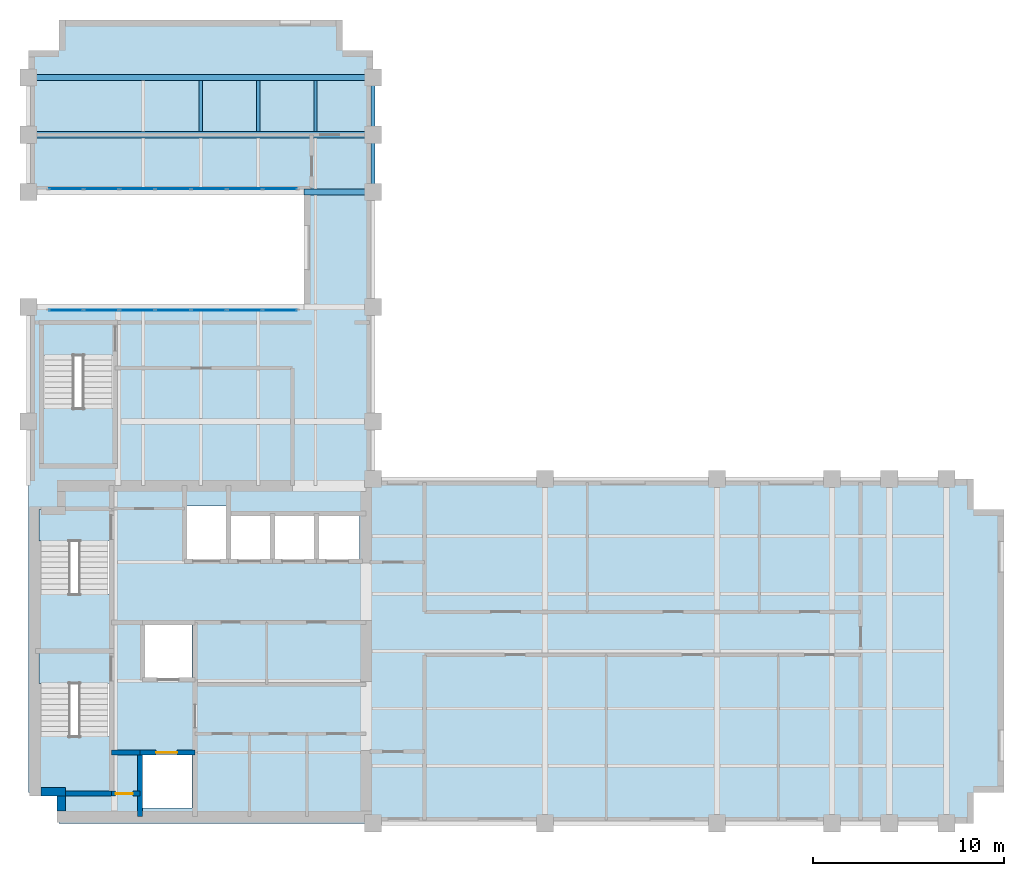
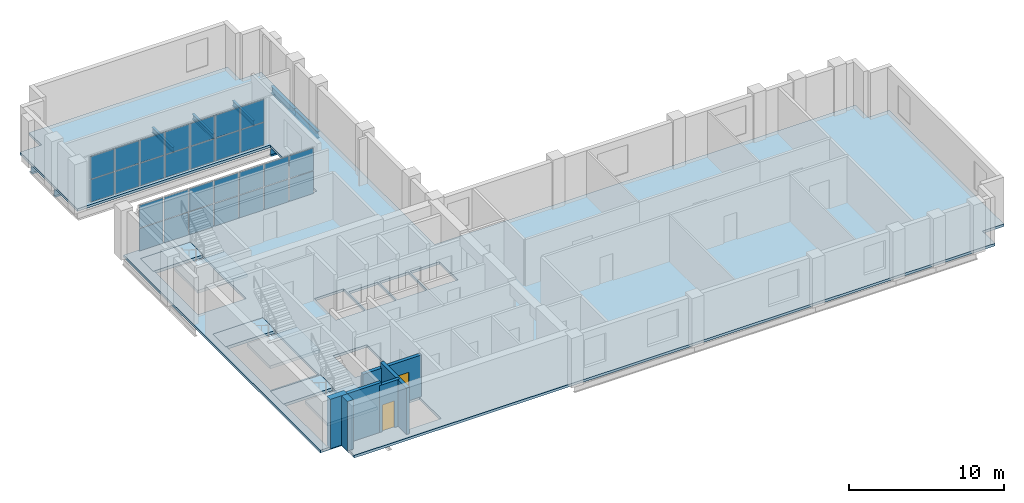
# One storey, part 5 of 9: 28 plates, 8 beams, 7 slabs, 7 walls, 2 doors, 2 openings, 5 elements without a shape of their own.
"""IFC4 building model written with IfcOpenShell, lengths in metres."""

from ifc_helpers import new_model, si_unit, direction, frame, frame_2d, origin, origin_2d, place, context, subcontext, project, spatial, polyline, rectangle, i_section, outline, extrude, material, layer, layer_set, material_profile, profile_set, type_object, element, fill, aggregate, save


model = new_model("IFC4")

# Units and contexts
model_context = context("Model", 3, precision=1e-05, world=origin(), true_north=direction((0.0, 1.0)))
body_context = subcontext(model_context, "Body", "Model", "MODEL_VIEW")
ifc_project = project(units=[si_unit("LENGTHUNIT", "METRE"), si_unit("AREAUNIT", "SQUARE_METRE"), si_unit("VOLUMEUNIT", "CUBIC_METRE"), si_unit("PLANEANGLEUNIT", "RADIAN"), si_unit("MASSUNIT", "GRAM", prefix="KILO")], contexts=[model_context])

# Site, building, storey
site_placement = place(None, origin())
site = spatial("IfcSite", under=ifc_project, at=site_placement, CompositionType="ELEMENT")
building_placement = place(site_placement, origin())
building = spatial("IfcBuilding", under=site, at=building_placement, Name="Mawjdan Bourse Tower", CompositionType="ELEMENT")
storey_placement = place(building_placement, frame((0.0, 0.0, 195.60009765625)))
storey = spatial("IfcBuildingStorey", under=building, at=storey_placement, Name="L47", CompositionType="ELEMENT", Elevation=195.60009765625)

# Beams
ifc_material_1 = material(Name="Structural Steel S355", Category="steel")
ifc_material_profile_1 = material_profile(ifc_material_1, i_section(OverallWidth=0.324951171875, OverallDepth=0.616943359375, WebThickness=0.013916015625, FlangeThickness=0.021484375, FilletRadius=0.017333984375, at=origin_2d()), Name="W24X117")
ifc_profile_set_1 = profile_set([ifc_material_profile_1], Name="Structural Steel S355")
beam_type_1 = type_object("IfcBeamType", Name="GRD-W24X117", PredefinedType="BEAM", material=ifc_profile_set_1)
beam_placement = place(storey_placement, frame((20.39990234375, 36.0, -0.508544921875), z_axis=(1.0, 0.0, 0.0), x_axis=(0.0, 1.0, 0.0)))
element("IfcBeam", 1, at=beam_placement, inside=storey, type_object=beam_type_1, Name="L47 North Wing Clear-Span Girder 051", PredefinedType="BEAM", context=body_context, shape_type="SweptSolid", body=[
    extrude(i_section(OverallWidth=0.324951171875, OverallDepth=0.616943359375, WebThickness=0.013916015625, FlangeThickness=0.021484375, FilletRadius=0.017333984375, at=origin_2d()), origin(), (0.0, 0.0, 1.0), 3.60009765625),
])
for number, where, z_axis, x_axis, name in (
    (2, (6.0, 39.0, -0.508544921875), (1.0, 0.0, 0.0), (0.0, 1.0, 0.0), "L47 North Wing Clear-Span Girder 052"),
    (3, (6.0, 42.0, -0.508544921875), (1.0, 0.0, 0.0), (0.0, 1.0, 0.0), "L47 North Wing Clear-Span Girder 053"),
):
    element("IfcBeam", number, at=place(storey_placement, frame(where, z_axis=z_axis, x_axis=x_axis)), inside=storey, type_object=beam_type_1, Name=name, PredefinedType="BEAM", context=body_context, shape_type="SweptSolid", body=[
        extrude(i_section(OverallWidth=0.324951171875, OverallDepth=0.616943359375, WebThickness=0.013916015625, FlangeThickness=0.021484375, FilletRadius=0.017333984375, at=origin_2d()), origin(), (0.0, 0.0, 1.0), 18.0),
    ])
ifc_material_profile_2 = material_profile(ifc_material_1, i_section(OverallWidth=0.177978515625, OverallDepth=0.406982421875, WebThickness=0.0078125, FlangeThickness=0.0126953125, FilletRadius=0.01025390625, at=origin_2d()), Name="W16X40")
ifc_profile_set_2 = profile_set([ifc_material_profile_2], Name="Structural Steel S355")
beam_type_2 = type_object("IfcBeamType", Name="JST-W16X40", PredefinedType="JOIST", material=ifc_profile_set_2)
for number, where, z_axis, x_axis, name in (
    (4, (15.0, 39.160400390625, -0.403564453125), (0.0, 1.0, 0.0), (-1.0, 0.0, 0.0), "L47 North Wing Composite Joist 070"),
    (5, (18.0, 39.160400390625, -0.403564453125), (0.0, 1.0, 0.0), (-1.0, 0.0, 0.0), "L47 North Wing Composite Joist 074"),
    (6, (21.0, 39.160400390625, -0.403564453125), (0.0, 1.0, 0.0), (-1.0, 0.0, 0.0), "L47 North Wing Composite Joist 079"),
):
    element("IfcBeam", number, at=place(storey_placement, frame(where, z_axis=z_axis, x_axis=x_axis)), inside=storey, type_object=beam_type_2, Name=name, PredefinedType="JOIST", context=body_context, shape_type="SweptSolid", body=[
        extrude(i_section(OverallWidth=0.177978515625, OverallDepth=0.406982421875, WebThickness=0.0078125, FlangeThickness=0.0126953125, FilletRadius=0.01025390625, at=origin_2d()), origin(), (0.0, 0.0, 1.0), 2.67919921875),
    ])
ifc_material_profile_3 = material_profile(ifc_material_1, i_section(OverallWidth=0.2119140625, OverallDepth=0.5439453125, WebThickness=0.01318359375, FlangeThickness=0.021240234375, FilletRadius=0.01708984375, at=origin_2d()), Name="W21X83")
ifc_profile_set_3 = profile_set([ifc_material_profile_3], Name="Structural Steel S355")
beam_type_3 = type_object("IfcBeamType", Name="SPN-W21X83", PredefinedType="SPANDREL", material=ifc_profile_set_3)
for number, where, z_axis, x_axis, name in (
    (7, (24.0, 36.0, -0.47216796875), (0.0, 1.0, 0.0), (-1.0, 0.0, 0.0), "L47 North Wing Spandrel 061"),
    (8, (24.0, 39.0, -0.47216796875), (0.0, 1.0, 0.0), (-1.0, 0.0, 0.0), "L47 North Wing Spandrel 062"),
):
    element("IfcBeam", number, at=place(storey_placement, frame(where, z_axis=z_axis, x_axis=x_axis)), inside=storey, type_object=beam_type_3, Name=name, PredefinedType="SPANDREL", context=body_context, shape_type="SweptSolid", body=[
        extrude(i_section(OverallWidth=0.2119140625, OverallDepth=0.5439453125, WebThickness=0.01318359375, FlangeThickness=0.021240234375, FilletRadius=0.01708984375, at=origin_2d()), origin(), (0.0, 0.0, 1.0), 3.0),
    ])

# Curtain wall, plates
ifc_material_2 = material(Name="Thermally Broken Aluminium and Solar Glass", Category="aluminium")
ifc_layer_1 = layer(ifc_material_2, 0.219970703125)
ifc_layer_set_1 = layer_set([ifc_layer_1], Name="Thermally Broken Aluminium and Solar Glass")
curtain_wall_type = type_object("IfcCurtainWallType", Name="CW-POR", PredefinedType="USERDEFINED", material=ifc_layer_set_1)
curtain_wall_1_placement = place(storey_placement, origin())
curtain_wall_1 = element("IfcCurtainWall", 9, at=curtain_wall_1_placement, inside=storey, type_object=curtain_wall_type, Name="L47 North Void Portal Glazed Cheek 14", ObjectType="VOID PORTAL CURTAIN WALL", PredefinedType="USERDEFINED")
ifc_material_3 = material(Name="Wind-Rated Portal Clear Glass", Category="glass")
ifc_layer_2 = layer(ifc_material_3, 0.0400390625)
ifc_layer_set_2 = layer_set([ifc_layer_2], Name="Wind-Rated Portal Clear Glass")
plate_type = type_object("IfcPlateType", Name="PNL-CW-POR", PredefinedType="CURTAIN_PANEL", material=ifc_layer_set_2)
plate_1_placement = place(storey_placement, frame((7.953125, 36.169921875, 0.054931640625), z_axis=(0.0, 0.0, 1.0), x_axis=(1.0, 0.0, 0.0)))
plate_1 = element("IfcPlate", 10, at=plate_1_placement, type_object=plate_type, Name="CW-POR-L47-POR-N14 panel 1.1", PredefinedType="CURTAIN_PANEL", context=body_context, shape_type="SweptSolid", body=[
    extrude(rectangle(XDim=1.766357421875, YDim=0.0400390625, at=origin_2d()), origin(), (0.0, 0.0, 1.0), 1.767578125),
])
plate_2_placement = place(storey_placement, frame((7.953125, 36.169921875, 1.87744140625), z_axis=(0.0, 0.0, 1.0), x_axis=(1.0, 0.0, 0.0)))
plate_2 = element("IfcPlate", 11, at=plate_2_placement, type_object=plate_type, Name="CW-POR-L47-POR-N14 panel 1.2", PredefinedType="CURTAIN_PANEL", context=body_context, shape_type="SweptSolid", body=[
    extrude(rectangle(XDim=1.766357421875, YDim=0.0400390625, at=origin_2d()), origin(), (0.0, 0.0, 1.0), 1.767578125),
])
plate_3_placement = place(storey_placement, frame((9.80712890625, 36.169921875, 0.054931640625), z_axis=(0.0, 0.0, 1.0), x_axis=(1.0, 0.0, 0.0)))
plate_3 = element("IfcPlate", 12, at=plate_3_placement, type_object=plate_type, Name="CW-POR-L47-POR-N14 panel 2.1", PredefinedType="CURTAIN_PANEL", context=body_context, shape_type="SweptSolid", body=[
    extrude(rectangle(XDim=1.801513671875, YDim=0.0400390625, at=origin_2d()), origin(), (0.0, 0.0, 1.0), 1.767578125),
])
plate_4_placement = place(storey_placement, frame((9.80712890625, 36.169921875, 1.87744140625), z_axis=(0.0, 0.0, 1.0), x_axis=(1.0, 0.0, 0.0)))
plate_4 = element("IfcPlate", 13, at=plate_4_placement, type_object=plate_type, Name="CW-POR-L47-POR-N14 panel 2.2", PredefinedType="CURTAIN_PANEL", context=body_context, shape_type="SweptSolid", body=[
    extrude(rectangle(XDim=1.801513671875, YDim=0.0400390625, at=origin_2d()), origin(), (0.0, 0.0, 1.0), 1.767578125),
])
plate_5_placement = place(storey_placement, frame((11.678466796875, 36.169921875, 0.054931640625), z_axis=(0.0, 0.0, 1.0), x_axis=(1.0, 0.0, 0.0)))
plate_5 = element("IfcPlate", 14, at=plate_5_placement, type_object=plate_type, Name="CW-POR-L47-POR-N14 panel 3.1", PredefinedType="CURTAIN_PANEL", context=body_context, shape_type="SweptSolid", body=[
    extrude(rectangle(XDim=1.801513671875, YDim=0.0400390625, at=origin_2d()), origin(), (0.0, 0.0, 1.0), 1.767578125),
])
plate_6_placement = place(storey_placement, frame((11.678466796875, 36.169921875, 1.87744140625), z_axis=(0.0, 0.0, 1.0), x_axis=(1.0, 0.0, 0.0)))
plate_6 = element("IfcPlate", 15, at=plate_6_placement, type_object=plate_type, Name="CW-POR-L47-POR-N14 panel 3.2", PredefinedType="CURTAIN_PANEL", context=body_context, shape_type="SweptSolid", body=[
    extrude(rectangle(XDim=1.801513671875, YDim=0.0400390625, at=origin_2d()), origin(), (0.0, 0.0, 1.0), 1.767578125),
])
plate_7_placement = place(storey_placement, frame((13.550048828125, 36.169921875, 0.054931640625), z_axis=(0.0, 0.0, 1.0), x_axis=(1.0, 0.0, 0.0)))
plate_7 = element("IfcPlate", 16, at=plate_7_placement, type_object=plate_type, Name="CW-POR-L47-POR-N14 panel 4.1", PredefinedType="CURTAIN_PANEL", context=body_context, shape_type="SweptSolid", body=[
    extrude(rectangle(XDim=1.801513671875, YDim=0.0400390625, at=origin_2d()), origin(), (0.0, 0.0, 1.0), 1.767578125),
])
plate_8_placement = place(storey_placement, frame((13.550048828125, 36.169921875, 1.87744140625), z_axis=(0.0, 0.0, 1.0), x_axis=(1.0, 0.0, 0.0)))
plate_8 = element("IfcPlate", 17, at=plate_8_placement, type_object=plate_type, Name="CW-POR-L47-POR-N14 panel 4.2", PredefinedType="CURTAIN_PANEL", context=body_context, shape_type="SweptSolid", body=[
    extrude(rectangle(XDim=1.801513671875, YDim=0.0400390625, at=origin_2d()), origin(), (0.0, 0.0, 1.0), 1.767578125),
])
plate_9_placement = place(storey_placement, frame((15.42138671875, 36.169921875, 0.054931640625), z_axis=(0.0, 0.0, 1.0), x_axis=(1.0, 0.0, 0.0)))
plate_9 = element("IfcPlate", 18, at=plate_9_placement, type_object=plate_type, Name="CW-POR-L47-POR-N14 panel 5.1", PredefinedType="CURTAIN_PANEL", context=body_context, shape_type="SweptSolid", body=[
    extrude(rectangle(XDim=1.801513671875, YDim=0.0400390625, at=origin_2d()), origin(), (0.0, 0.0, 1.0), 1.767578125),
])
plate_10_placement = place(storey_placement, frame((15.42138671875, 36.169921875, 1.87744140625), z_axis=(0.0, 0.0, 1.0), x_axis=(1.0, 0.0, 0.0)))
plate_10 = element("IfcPlate", 19, at=plate_10_placement, type_object=plate_type, Name="CW-POR-L47-POR-N14 panel 5.2", PredefinedType="CURTAIN_PANEL", context=body_context, shape_type="SweptSolid", body=[
    extrude(rectangle(XDim=1.801513671875, YDim=0.0400390625, at=origin_2d()), origin(), (0.0, 0.0, 1.0), 1.767578125),
])
plate_11_placement = place(storey_placement, frame((17.29296875, 36.169921875, 0.054931640625), z_axis=(0.0, 0.0, 1.0), x_axis=(1.0, 0.0, 0.0)))
plate_11 = element("IfcPlate", 20, at=plate_11_placement, type_object=plate_type, Name="CW-POR-L47-POR-N14 panel 6.1", PredefinedType="CURTAIN_PANEL", context=body_context, shape_type="SweptSolid", body=[
    extrude(rectangle(XDim=1.801513671875, YDim=0.0400390625, at=origin_2d()), origin(), (0.0, 0.0, 1.0), 1.767578125),
])
plate_12_placement = place(storey_placement, frame((17.29296875, 36.169921875, 1.87744140625), z_axis=(0.0, 0.0, 1.0), x_axis=(1.0, 0.0, 0.0)))
plate_12 = element("IfcPlate", 21, at=plate_12_placement, type_object=plate_type, Name="CW-POR-L47-POR-N14 panel 6.2", PredefinedType="CURTAIN_PANEL", context=body_context, shape_type="SweptSolid", body=[
    extrude(rectangle(XDim=1.801513671875, YDim=0.0400390625, at=origin_2d()), origin(), (0.0, 0.0, 1.0), 1.767578125),
])
plate_13_placement = place(storey_placement, frame((19.146728515625, 36.169921875, 0.054931640625), z_axis=(0.0, 0.0, 1.0), x_axis=(1.0, 0.0, 0.0)))
plate_13 = element("IfcPlate", 22, at=plate_13_placement, type_object=plate_type, Name="CW-POR-L47-POR-N14 panel 7.1", PredefinedType="CURTAIN_PANEL", context=body_context, shape_type="SweptSolid", body=[
    extrude(rectangle(XDim=1.766357421875, YDim=0.0400390625, at=origin_2d()), origin(), (0.0, 0.0, 1.0), 1.767578125),
])
plate_14_placement = place(storey_placement, frame((19.146728515625, 36.169921875, 1.87744140625), z_axis=(0.0, 0.0, 1.0), x_axis=(1.0, 0.0, 0.0)))
plate_14 = element("IfcPlate", 23, at=plate_14_placement, type_object=plate_type, Name="CW-POR-L47-POR-N14 panel 7.2", PredefinedType="CURTAIN_PANEL", context=body_context, shape_type="SweptSolid", body=[
    extrude(rectangle(XDim=1.766357421875, YDim=0.0400390625, at=origin_2d()), origin(), (0.0, 0.0, 1.0), 1.767578125),
])
aggregate(curtain_wall_1, [plate_1, plate_2, plate_3, plate_4, plate_5, plate_6, plate_7, plate_8, plate_9, plate_10, plate_11, plate_12, plate_13, plate_14])

curtain_wall_2_placement = place(storey_placement, origin())
curtain_wall_2 = element("IfcCurtainWall", 24, at=curtain_wall_2_placement, inside=storey, type_object=curtain_wall_type, Name="L47 North Void Portal Glazed Cheek 16", ObjectType="VOID PORTAL CURTAIN WALL", PredefinedType="USERDEFINED")
plate_15_placement = place(storey_placement, frame((19.146728515625, 29.830078125, 0.054931640625), z_axis=(0.0, 0.0, 1.0), x_axis=(-1.0, 0.0, 0.0)))
plate_15 = element("IfcPlate", 25, at=plate_15_placement, type_object=plate_type, Name="CW-POR-L47-POR-N16 panel 1.1", PredefinedType="CURTAIN_PANEL", context=body_context, shape_type="SweptSolid", body=[
    extrude(rectangle(XDim=1.766357421875, YDim=0.0400390625, at=origin_2d()), origin(), (0.0, 0.0, 1.0), 1.767578125),
])
plate_16_placement = place(storey_placement, frame((19.146728515625, 29.830078125, 1.87744140625), z_axis=(0.0, 0.0, 1.0), x_axis=(-1.0, 0.0, 0.0)))
plate_16 = element("IfcPlate", 26, at=plate_16_placement, type_object=plate_type, Name="CW-POR-L47-POR-N16 panel 1.2", PredefinedType="CURTAIN_PANEL", context=body_context, shape_type="SweptSolid", body=[
    extrude(rectangle(XDim=1.766357421875, YDim=0.0400390625, at=origin_2d()), origin(), (0.0, 0.0, 1.0), 1.767578125),
])
plate_17_placement = place(storey_placement, frame((17.29296875, 29.830078125, 0.054931640625), z_axis=(0.0, 0.0, 1.0), x_axis=(-1.0, 0.0, 0.0)))
plate_17 = element("IfcPlate", 27, at=plate_17_placement, type_object=plate_type, Name="CW-POR-L47-POR-N16 panel 2.1", PredefinedType="CURTAIN_PANEL", context=body_context, shape_type="SweptSolid", body=[
    extrude(rectangle(XDim=1.801513671875, YDim=0.0400390625, at=origin_2d()), origin(), (0.0, 0.0, 1.0), 1.767578125),
])
plate_18_placement = place(storey_placement, frame((17.29296875, 29.830078125, 1.87744140625), z_axis=(0.0, 0.0, 1.0), x_axis=(-1.0, 0.0, 0.0)))
plate_18 = element("IfcPlate", 28, at=plate_18_placement, type_object=plate_type, Name="CW-POR-L47-POR-N16 panel 2.2", PredefinedType="CURTAIN_PANEL", context=body_context, shape_type="SweptSolid", body=[
    extrude(rectangle(XDim=1.801513671875, YDim=0.0400390625, at=origin_2d()), origin(), (0.0, 0.0, 1.0), 1.767578125),
])
plate_19_placement = place(storey_placement, frame((15.42138671875, 29.830078125, 0.054931640625), z_axis=(0.0, 0.0, 1.0), x_axis=(-1.0, 0.0, 0.0)))
plate_19 = element("IfcPlate", 29, at=plate_19_placement, type_object=plate_type, Name="CW-POR-L47-POR-N16 panel 3.1", PredefinedType="CURTAIN_PANEL", context=body_context, shape_type="SweptSolid", body=[
    extrude(rectangle(XDim=1.801513671875, YDim=0.0400390625, at=origin_2d()), origin(), (0.0, 0.0, 1.0), 1.767578125),
])
plate_20_placement = place(storey_placement, frame((15.42138671875, 29.830078125, 1.87744140625), z_axis=(0.0, 0.0, 1.0), x_axis=(-1.0, 0.0, 0.0)))
plate_20 = element("IfcPlate", 30, at=plate_20_placement, type_object=plate_type, Name="CW-POR-L47-POR-N16 panel 3.2", PredefinedType="CURTAIN_PANEL", context=body_context, shape_type="SweptSolid", body=[
    extrude(rectangle(XDim=1.801513671875, YDim=0.0400390625, at=origin_2d()), origin(), (0.0, 0.0, 1.0), 1.767578125),
])
plate_21_placement = place(storey_placement, frame((13.550048828125, 29.830078125, 0.054931640625), z_axis=(0.0, 0.0, 1.0), x_axis=(-1.0, 0.0, 0.0)))
plate_21 = element("IfcPlate", 31, at=plate_21_placement, type_object=plate_type, Name="CW-POR-L47-POR-N16 panel 4.1", PredefinedType="CURTAIN_PANEL", context=body_context, shape_type="SweptSolid", body=[
    extrude(rectangle(XDim=1.801513671875, YDim=0.0400390625, at=origin_2d()), origin(), (0.0, 0.0, 1.0), 1.767578125),
])
plate_22_placement = place(storey_placement, frame((13.550048828125, 29.830078125, 1.87744140625), z_axis=(0.0, 0.0, 1.0), x_axis=(-1.0, 0.0, 0.0)))
plate_22 = element("IfcPlate", 32, at=plate_22_placement, type_object=plate_type, Name="CW-POR-L47-POR-N16 panel 4.2", PredefinedType="CURTAIN_PANEL", context=body_context, shape_type="SweptSolid", body=[
    extrude(rectangle(XDim=1.801513671875, YDim=0.0400390625, at=origin_2d()), origin(), (0.0, 0.0, 1.0), 1.767578125),
])
plate_23_placement = place(storey_placement, frame((11.678466796875, 29.830078125, 0.054931640625), z_axis=(0.0, 0.0, 1.0), x_axis=(-1.0, 0.0, 0.0)))
plate_23 = element("IfcPlate", 33, at=plate_23_placement, type_object=plate_type, Name="CW-POR-L47-POR-N16 panel 5.1", PredefinedType="CURTAIN_PANEL", context=body_context, shape_type="SweptSolid", body=[
    extrude(rectangle(XDim=1.801513671875, YDim=0.0400390625, at=origin_2d()), origin(), (0.0, 0.0, 1.0), 1.767578125),
])
plate_24_placement = place(storey_placement, frame((11.678466796875, 29.830078125, 1.87744140625), z_axis=(0.0, 0.0, 1.0), x_axis=(-1.0, 0.0, 0.0)))
plate_24 = element("IfcPlate", 34, at=plate_24_placement, type_object=plate_type, Name="CW-POR-L47-POR-N16 panel 5.2", PredefinedType="CURTAIN_PANEL", context=body_context, shape_type="SweptSolid", body=[
    extrude(rectangle(XDim=1.801513671875, YDim=0.0400390625, at=origin_2d()), origin(), (0.0, 0.0, 1.0), 1.767578125),
])
plate_25_placement = place(storey_placement, frame((9.80712890625, 29.830078125, 0.054931640625), z_axis=(0.0, 0.0, 1.0), x_axis=(-1.0, 0.0, 0.0)))
plate_25 = element("IfcPlate", 35, at=plate_25_placement, type_object=plate_type, Name="CW-POR-L47-POR-N16 panel 6.1", PredefinedType="CURTAIN_PANEL", context=body_context, shape_type="SweptSolid", body=[
    extrude(rectangle(XDim=1.801513671875, YDim=0.0400390625, at=origin_2d()), origin(), (0.0, 0.0, 1.0), 1.767578125),
])
plate_26_placement = place(storey_placement, frame((9.80712890625, 29.830078125, 1.87744140625), z_axis=(0.0, 0.0, 1.0), x_axis=(-1.0, 0.0, 0.0)))
plate_26 = element("IfcPlate", 36, at=plate_26_placement, type_object=plate_type, Name="CW-POR-L47-POR-N16 panel 6.2", PredefinedType="CURTAIN_PANEL", context=body_context, shape_type="SweptSolid", body=[
    extrude(rectangle(XDim=1.801513671875, YDim=0.0400390625, at=origin_2d()), origin(), (0.0, 0.0, 1.0), 1.767578125),
])
plate_27_placement = place(storey_placement, frame((7.953125, 29.830078125, 0.054931640625), z_axis=(0.0, 0.0, 1.0), x_axis=(-1.0, 0.0, 0.0)))
plate_27 = element("IfcPlate", 37, at=plate_27_placement, type_object=plate_type, Name="CW-POR-L47-POR-N16 panel 7.1", PredefinedType="CURTAIN_PANEL", context=body_context, shape_type="SweptSolid", body=[
    extrude(rectangle(XDim=1.766357421875, YDim=0.0400390625, at=origin_2d()), origin(), (0.0, 0.0, 1.0), 1.767578125),
])
plate_28_placement = place(storey_placement, frame((7.953125, 29.830078125, 1.87744140625), z_axis=(0.0, 0.0, 1.0), x_axis=(-1.0, 0.0, 0.0)))
plate_28 = element("IfcPlate", 38, at=plate_28_placement, type_object=plate_type, Name="CW-POR-L47-POR-N16 panel 7.2", PredefinedType="CURTAIN_PANEL", context=body_context, shape_type="SweptSolid", body=[
    extrude(rectangle(XDim=1.766357421875, YDim=0.0400390625, at=origin_2d()), origin(), (0.0, 0.0, 1.0), 1.767578125),
])
aggregate(curtain_wall_2, [plate_15, plate_16, plate_17, plate_18, plate_19, plate_20, plate_21, plate_22, plate_23, plate_24, plate_25, plate_26, plate_27, plate_28])

# Stair, slabs
ifc_material_4 = material(Name="Concrete C50/60", Category="concrete")
stair_type = type_object("IfcStairType", Name="STR-CORE-1500", PredefinedType="HALF_TURN_STAIR", material=ifc_material_4)
stair_1_placement = place(storey_placement, origin())
stair_1 = element("IfcStair", 39, at=stair_1_placement, inside=storey, type_object=stair_type, Name="L47 Exit Stair 1 (Core South-West)", PredefinedType="HALF_TURN_STAIR")
ifc_layer_3 = layer(ifc_material_4, 0.22998046875)
ifc_layer_set_3 = layer_set([ifc_layer_3], Name="Concrete C50/60")
slab_type_1 = type_object("IfcSlabType", Name="SL-LND-230", PredefinedType="LANDING", material=ifc_layer_set_3)
slab_1_placement = place(storey_placement, frame((0.0, 0.0, -0.22998046875)))
slab_1 = element("IfcSlab", 40, at=slab_1_placement, type_object=slab_type_1, Name="ST1-L47 landing 1", PredefinedType="LANDING", context=body_context, shape_type="SweptSolid", body=[
    extrude(outline(polyline([(6.5400390625, 10.31005859375), (10.260009765625, 10.31005859375), (10.260009765625, 11.969970703125), (6.5400390625, 11.969970703125), (6.5400390625, 10.31005859375)])), origin(), (0.0, 0.0, 1.0), 0.22998046875),
])
slab_2_placement = place(storey_placement, frame((0.0, 0.0, 1.719970703125)))
slab_2 = element("IfcSlab", 41, at=slab_2_placement, type_object=slab_type_1, Name="ST1-L47 landing 2", PredefinedType="LANDING", context=body_context, shape_type="SweptSolid", body=[
    extrude(outline(polyline([(6.5400390625, 4.590087890625), (10.260009765625, 4.590087890625), (10.260009765625, 7.5400390625), (6.5400390625, 7.5400390625), (6.5400390625, 4.590087890625)])), origin(), (0.0, 0.0, 1.0), 0.22998046875),
])
aggregate(stair_1, [slab_1, slab_2])

stair_2_placement = place(storey_placement, origin())
stair_2 = element("IfcStair", 42, at=stair_2_placement, inside=storey, type_object=stair_type, Name="L47 Exit Stair 2 (Core North-West)", PredefinedType="HALF_TURN_STAIR")
slab_3_placement = place(storey_placement, frame((0.0, 0.0, -0.22998046875)))
slab_3 = element("IfcSlab", 43, at=slab_3_placement, type_object=slab_type_1, Name="ST2-L47 landing 1", PredefinedType="LANDING", context=body_context, shape_type="SweptSolid", body=[
    extrude(outline(polyline([(6.5400390625, 17.75), (10.260009765625, 17.75), (10.260009765625, 19.409912109375), (6.5400390625, 19.409912109375), (6.5400390625, 17.75)])), origin(), (0.0, 0.0, 1.0), 0.22998046875),
])
slab_4_placement = place(storey_placement, frame((0.0, 0.0, 1.719970703125)))
slab_4 = element("IfcSlab", 44, at=slab_4_placement, type_object=slab_type_1, Name="ST2-L47 landing 2", PredefinedType="LANDING", context=body_context, shape_type="SweptSolid", body=[
    extrude(outline(polyline([(6.5400390625, 12.030029296875), (10.260009765625, 12.030029296875), (10.260009765625, 14.97998046875), (6.5400390625, 14.97998046875), (6.5400390625, 12.030029296875)])), origin(), (0.0, 0.0, 1.0), 0.22998046875),
])
aggregate(stair_2, [slab_3, slab_4])

stair_3_placement = place(storey_placement, origin())
stair_3 = element("IfcStair", 45, at=stair_3_placement, inside=storey, type_object=stair_type, Name="L47 Exit Stair 3 (North Wing)", PredefinedType="HALF_TURN_STAIR")
slab_5_placement = place(storey_placement, frame((0.0, 0.0, -0.22998046875)))
slab_5 = element("IfcSlab", 46, at=slab_5_placement, type_object=slab_type_1, Name="ST3-L47 landing 1", PredefinedType="LANDING", context=body_context, shape_type="SweptSolid", body=[
    extrude(outline(polyline([(6.739990234375, 27.4599609375), (10.4599609375, 27.4599609375), (10.4599609375, 29.1201171875), (6.739990234375, 29.1201171875), (6.739990234375, 27.4599609375)])), origin(), (0.0, 0.0, 1.0), 0.22998046875),
])
slab_6_placement = place(storey_placement, frame((0.0, 0.0, 1.719970703125)))
slab_6 = element("IfcSlab", 47, at=slab_6_placement, type_object=slab_type_1, Name="ST3-L47 landing 2", PredefinedType="LANDING", context=body_context, shape_type="SweptSolid", body=[
    extrude(outline(polyline([(6.739990234375, 21.739990234375), (10.4599609375, 21.739990234375), (10.4599609375, 24.68994140625), (6.739990234375, 24.68994140625), (6.739990234375, 21.739990234375)])), origin(), (0.0, 0.0, 1.0), 0.22998046875),
])
aggregate(stair_3, [slab_5, slab_6])

# Slab
ifc_layer_4 = layer(ifc_material_4, 0.199951171875)
ifc_layer_set_4 = layer_set([ifc_layer_4], Name="Concrete C50/60")
slab_type_2 = type_object("IfcSlabType", Name="SL-OFC-200", PredefinedType="FLOOR", material=ifc_layer_set_4)
slab_7_placement = place(storey_placement, frame((0.0, 0.0, -0.2001953125)))
element("IfcSlab", 48, at=slab_7_placement, inside=storey, type_object=slab_type_2, Name="L47 Structural Floor Slab 1", PredefinedType="FLOOR", context=body_context, shape_type="SweptSolid", body=[
    extrude(outline(polyline([(7.60009765625, 3.0), (55.39990234375, 3.0), (55.39990234375, 4.60009765625), (57.0, 4.60009765625), (57.0, 19.39990234375), (55.39990234375, 19.39990234375), (55.39990234375, 21.0), (24.0, 21.0), (24.0, 43.39990234375), (22.39990234375, 43.39990234375), (22.39990234375, 45.0), (7.60009765625, 45.0), (7.60009765625, 43.39990234375), (6.0, 43.39990234375), (6.0, 36.0), (20.39990234375, 36.0), (20.39990234375, 30.0), (6.0, 30.0), (6.0, 4.60009765625), (7.60009765625, 4.60009765625), (7.60009765625, 3.0)]), holes=[polyline([(6.5400390625, 11.969970703125), (10.260009765625, 11.969970703125), (10.260009765625, 10.31005859375), (10.199951171875, 10.31005859375), (10.199951171875, 4.64990234375), (6.60009765625, 4.64990234375), (6.60009765625, 10.31005859375), (6.5400390625, 10.31005859375), (6.5400390625, 11.969970703125)]), polyline([(6.60009765625, 12.090087890625), (6.60009765625, 17.75), (6.5400390625, 17.75), (6.5400390625, 19.409912109375), (10.260009765625, 19.409912109375), (10.260009765625, 17.75), (10.199951171875, 17.75), (10.199951171875, 12.090087890625), (6.60009765625, 12.090087890625)]), polyline([(10.4599609375, 29.1201171875), (10.4599609375, 27.4599609375), (10.39990234375, 27.4599609375), (10.39990234375, 21.800048828125), (6.800048828125, 21.800048828125), (6.800048828125, 27.4599609375), (6.739990234375, 27.4599609375), (6.739990234375, 29.1201171875), (10.4599609375, 29.1201171875)]), polyline([(14.550048828125, 3.800048828125), (11.949951171875, 3.800048828125), (11.949951171875, 6.60009765625), (14.550048828125, 6.60009765625), (14.550048828125, 3.800048828125)]), polyline([(12.050048828125, 10.60009765625), (12.050048828125, 13.39990234375), (14.550048828125, 13.39990234375), (14.550048828125, 10.60009765625), (12.050048828125, 10.60009765625)]), polyline([(16.5, 16.800048828125), (16.5, 19.14990234375), (18.699951171875, 19.14990234375), (18.699951171875, 16.800048828125), (16.5, 16.800048828125)]), polyline([(21.0, 16.800048828125), (18.800048828125, 16.800048828125), (18.800048828125, 19.14990234375), (21.0, 19.14990234375), (21.0, 16.800048828125)]), polyline([(21.10009765625, 16.800048828125), (21.10009765625, 19.14990234375), (23.300048828125, 19.14990234375), (23.300048828125, 16.800048828125), (21.10009765625, 16.800048828125)]), polyline([(14.199951171875, 16.800048828125), (14.199951171875, 19.60009765625), (16.39990234375, 19.60009765625), (16.39990234375, 16.800048828125), (14.199951171875, 16.800048828125)])]), origin(), (0.0, 0.0, 1.0), 0.2001953125),
])

# Walls
ifc_material_5 = material(Name="Concrete C60/75", Category="concrete")
ifc_layer_5 = layer(ifc_material_5, 0.449951171875)
ifc_layer_set_5 = layer_set([ifc_layer_5], Name="Concrete C60/75")
wall_type_1 = type_object("IfcWallType", Name="WL-CORE-450", PredefinedType="SHEAR", material=ifc_layer_set_5)
wall_1_placement = place(storey_placement, frame((6.64990234375, 4.64990234375, 0.0), z_axis=(0.0, 0.0, 1.0), x_axis=(1.0, 0.0, 0.0)))
element("IfcWall", 49, at=wall_1_placement, inside=storey, type_object=wall_type_1, Name="L47 Rear Core Shear Wall SW-X", PredefinedType="SHEAR", context=body_context, shape_type="SweptSolid", body=[
    extrude(rectangle(XDim=1.275146484375, YDim=0.449951171875, at=frame_2d((0.6376953125, 0.0))), origin(), (0.0, 0.0, 1.0), 3.89990234375),
])
wall_2_placement = place(storey_placement, frame((7.699951171875, 3.64990234375, 0.0), z_axis=(0.0, 0.0, 1.0), x_axis=(0.0, 1.0, 0.0)))
element("IfcWall", 50, at=wall_2_placement, inside=storey, type_object=wall_type_1, Name="L47 Rear Core Shear Wall SW-Y", PredefinedType="SHEAR", context=body_context, shape_type="SweptSolid", body=[
    extrude(rectangle(XDim=0.775146484375, YDim=0.449951171875, at=frame_2d((0.3876953125, 0.0))), origin(), (0.0, 0.0, 1.0), 3.89990234375),
])

# Wall, opening, door
ifc_layer_6 = layer(ifc_material_4, 0.25)
ifc_layer_set_6 = layer_set([ifc_layer_6], Name="Concrete C50/60")
wall_type_2 = type_object("IfcWallType", Name="WL-SHFT-250", PredefinedType="PARTITIONING", material=ifc_layer_set_6)
wall_3_placement = place(storey_placement, frame((10.330078125, 4.550048828125, 0.0), z_axis=(0.0, 0.0, 1.0), x_axis=(1.0, 0.0, 0.0)))
wall_3 = element("IfcWall", 51, at=wall_3_placement, inside=storey, type_object=wall_type_2, Name="L47 SW Riser North Wall", PredefinedType="PARTITIONING", context=body_context, shape_type="SweptSolid", body=[
    extrude(rectangle(XDim=1.489990234375, YDim=0.25, at=frame_2d((0.7451171875, 0.0))), origin(), (0.0, 0.0, 1.0), 3.68994140625),
])
opening_1_placement = place(wall_3_placement, frame((0.219970703125, 0.0, 0.0)))
opening_1 = element("IfcOpeningElement", 52, at=opening_1_placement, cuts=wall_3, Name="Opening RD-L47-03", PredefinedType="OPENING", context=body_context, shape_type="SweptSolid", body=[
    extrude(rectangle(XDim=0.89990234375, YDim=2.10009765625, at=frame_2d((0.449951171875, 1.050048828125))), frame((0.0, 0.135009765625, 0.0), z_axis=(0.0, -1.0, 0.0), x_axis=(1.0, 0.0, 0.0)), (0.0, 0.0, 1.0), 0.27001953125),
])
ifc_material_6 = material(Name="Fire-Rated Steel Access Leaf", Category="steel")
door_type_1 = type_object("IfcDoorType", Name="FD-RSR-0900", OperationType="NOTDEFINED", PredefinedType="TRAPDOOR", material=ifc_material_6)
door_1_placement = place(opening_1_placement, origin())
door_1 = element("IfcDoor", 53, at=door_1_placement, inside=storey, type_object=door_type_1, Name="L47 Electrical Riser Access Door RD-L47-03", OperationType="SINGLE_SWING_RIGHT", OverallHeight=2.10009765625, OverallWidth=0.89990234375, PredefinedType="TRAPDOOR", context=body_context, shape_type="SweptSolid", body=[
    extrude(rectangle(XDim=0.89990234375, YDim=2.10009765625, at=frame_2d((0.449951171875, 1.050048828125))), frame((0.0, 0.02490234375, 0.0), z_axis=(0.0, -1.0, 0.0), x_axis=(1.0, 0.0, 0.0)), (0.0, 0.0, 1.0), 0.050048828125),
])
fill(opening_1, door_1)

# Wall
wall_4_placement = place(storey_placement, frame((11.820068359375, 3.35009765625, 0.0), z_axis=(0.0, 0.0, 1.0), x_axis=(0.0, 1.0, 0.0)))
element("IfcWall", 54, at=wall_4_placement, inside=storey, type_object=wall_type_2, Name="L47 SW Riser & FFL01 West Wall", PredefinedType="PARTITIONING", context=body_context, shape_type="SweptSolid", body=[
    extrude(rectangle(XDim=3.349853515625, YDim=0.25, at=frame_2d((1.6748046875, 0.0))), origin(), (0.0, 0.0, 1.0), 3.68994140625),
])

# Wall, opening, door
wall_5_placement = place(storey_placement, frame((11.820068359375, 6.699951171875, 0.0), z_axis=(0.0, 0.0, 1.0), x_axis=(1.0, 0.0, 0.0)))
wall_5 = element("IfcWall", 55, at=wall_5_placement, inside=storey, type_object=wall_type_2, Name="L47 FFL-01 Front Shaft Wall", PredefinedType="PARTITIONING", context=body_context, shape_type="SweptSolid", body=[
    extrude(rectangle(XDim=2.8798828125, YDim=0.25, at=frame_2d((1.43994140625, 0.0))), origin(), (0.0, 0.0, 1.0), 3.282958984375),
])
opening_2_placement = place(wall_5_placement, frame((0.85009765625, 0.0, 0.0)))
opening_2 = element("IfcOpeningElement", 56, at=opening_2_placement, cuts=wall_5, Name="Opening LD-L47-05", PredefinedType="OPENING", context=body_context, shape_type="SweptSolid", body=[
    extrude(rectangle(XDim=1.10009765625, YDim=2.25, at=frame_2d((0.550048828125, 1.125))), frame((0.0, 0.135009765625, 0.0), z_axis=(0.0, -1.0, 0.0), x_axis=(1.0, 0.0, 0.0)), (0.0, 0.0, 1.0), 0.27001953125),
])
ifc_material_7 = material(Name="Brushed Stainless Steel", Category="steel")
door_type_2 = type_object("IfcDoorType", Name="LD-FFL-1100", OperationType="DOUBLE_DOOR_SLIDING", PredefinedType="DOOR", material=ifc_material_7)
door_2_placement = place(opening_2_placement, origin())
door_2 = element("IfcDoor", 57, at=door_2_placement, inside=storey, type_object=door_type_2, Name="L47 Firefighting Lift FFL-01 Landing Door LD-L47-05", OperationType="DOUBLE_DOOR_SLIDING", OverallHeight=2.25, OverallWidth=1.10009765625, PredefinedType="DOOR", context=body_context, shape_type="SweptSolid", body=[
    extrude(rectangle(XDim=1.10009765625, YDim=2.25, at=frame_2d((0.550048828125, 1.125))), frame((0.0, 0.02490234375, 0.0), z_axis=(0.0, -1.0, 0.0), x_axis=(1.0, 0.0, 0.0)), (0.0, 0.0, 1.0), 0.050048828125),
])
fill(opening_2, door_2)

# Walls
wall_6_placement = place(storey_placement, frame((10.330078125, 6.699951171875, 0.0), z_axis=(0.0, 0.0, 1.0), x_axis=(1.0, 0.0, 0.0)))
element("IfcWall", 58, at=wall_6_placement, inside=storey, type_object=wall_type_2, Name="L47 Firefighting Lobby South Closure Wall", PredefinedType="PARTITIONING", context=body_context, shape_type="SweptSolid", body=[
    extrude(rectangle(XDim=1.489990234375, YDim=0.25, at=frame_2d((0.7451171875, 0.0))), origin(), (0.0, 0.0, 1.0), 3.282958984375),
])
ifc_layer_7 = layer(ifc_material_4, 0.25)
ifc_layer_set_7 = layer_set([ifc_layer_7], Name="Concrete C50/60")
wall_type_3 = type_object("IfcWallType", Name="WL-STRW-250", PredefinedType="SHEAR", material=ifc_layer_set_7)
wall_7_placement = place(storey_placement, frame((7.699951171875, 4.550048828125, 0.0), z_axis=(0.0, 0.0, 1.0), x_axis=(1.0, 0.0, 0.0)))
element("IfcWall", 59, at=wall_7_placement, inside=storey, type_object=wall_type_3, Name="L47 Stairwell ST1 South Shaft Wall", PredefinedType="SHEAR", context=body_context, shape_type="SweptSolid", body=[
    extrude(rectangle(XDim=2.755126953125, YDim=0.25, at=frame_2d((1.37744140625, 0.0))), origin(), (0.0, 0.0, 1.0), 3.89990234375),
])

save(model, "model.ifc")
